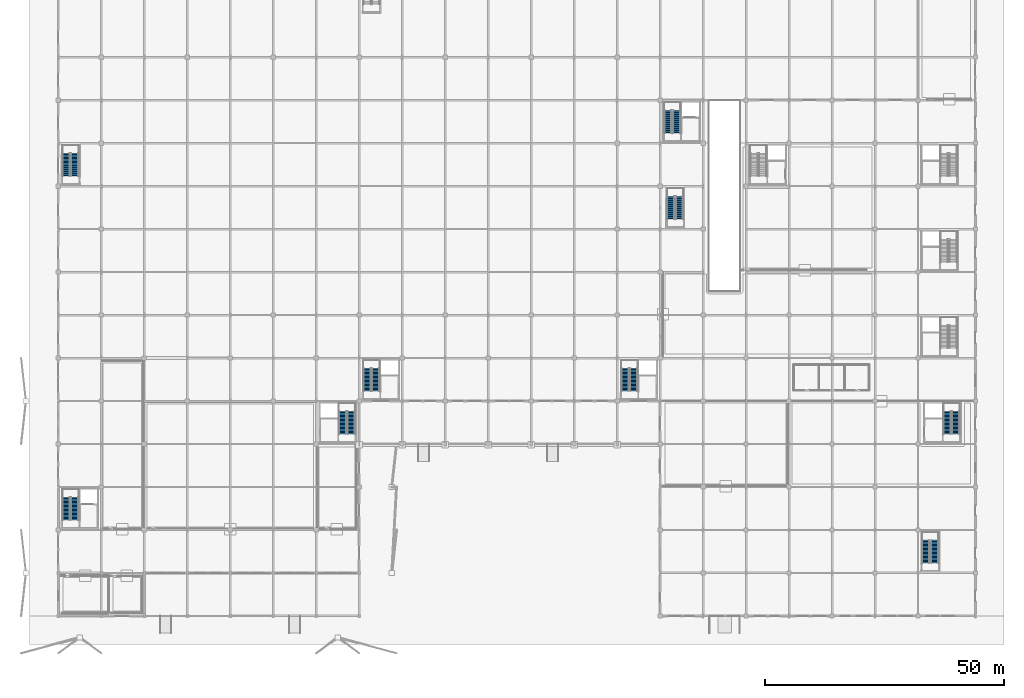
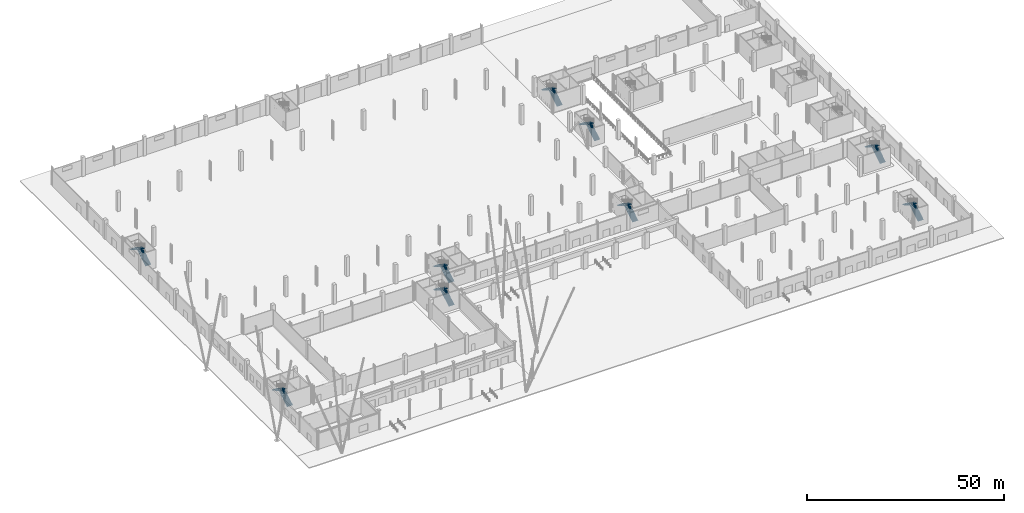
# One storey, part 40 of 58: 18 stair flights, 9 elements without a shape of their own.
"""IFC4 building model written with IfcOpenShell, lengths in metres."""

from ifc_helpers import new_model, si_unit, direction, frame, origin, place, context, subcontext, project, spatial, polyline, outline, extrude, material, type_object, element, aggregate, save


model = new_model("IFC4")

# Units and contexts
model_context = context("Model", 3, precision=1e-05, world=origin(), true_north=direction((0.0, 1.0)))
body_context = subcontext(model_context, "Body", "Model", "MODEL_VIEW")
ifc_project = project(units=[si_unit("LENGTHUNIT", "METRE"), si_unit("AREAUNIT", "SQUARE_METRE"), si_unit("VOLUMEUNIT", "CUBIC_METRE"), si_unit("PLANEANGLEUNIT", "RADIAN"), si_unit("MASSUNIT", "GRAM", prefix="KILO")], contexts=[model_context])

# Site, building, storey
site_placement = place(None, origin())
site = spatial("IfcSite", under=ifc_project, at=site_placement, CompositionType="ELEMENT")
building_placement = place(site_placement, origin())
building = spatial("IfcBuilding", under=site, at=building_placement, Name="Barlavento Convention Centre", CompositionType="ELEMENT")
storey_placement = place(building_placement, origin())
storey = spatial("IfcBuildingStorey", under=building, at=storey_placement, Name="L00", CompositionType="ELEMENT", Elevation=0.0)

# Stair, stair flights
ifc_material = material(Name="Concrete C40/50", Category="concrete")
stair_type_1 = type_object("IfcStairType", Name="ARC-STR-DOG-1600", PredefinedType="HALF_TURN_STAIR", material=ifc_material)
stair_1_placement = place(storey_placement, origin())
stair_1 = element("IfcStair", 1, at=stair_1_placement, inside=storey, type_object=stair_type_1, Name="L00 ST10", PredefinedType="HALF_TURN_STAIR")
stair_flight_type_1 = type_object("IfcStairFlightType", Name="ARC-FLT-STR-1600", PredefinedType="STRAIGHT", material=ifc_material)
stair_flight_1_placement = place(storey_placement, frame((129.449951171875, 101.070068359375, 0.0), z_axis=(0.0, 0.0, 1.0), x_axis=(0.0, 1.0, 0.0)))
stair_flight_1 = element("IfcStairFlight", 2, at=stair_flight_1_placement, type_object=stair_flight_type_1, Name="ST10 flight 1", NumberOfRisers=18, NumberOfTreads=17, PredefinedType="STRAIGHT", RiserHeight=0.166666667, TreadLength=0.28, context=body_context, shape_type="SweptSolid", body=[
    extrude(outline(polyline([(0.0, 0.0), (0.0, 0.166748046875), (0.280029296875, 0.166748046875), (0.280029296875, 0.333251953125), (0.56005859375, 0.333251953125), (0.56005859375, 0.5), (0.840087890625, 0.5), (0.840087890625, 0.666748046875), (1.1201171875, 0.666748046875), (1.1201171875, 0.833251953125), (1.39990234375, 0.833251953125), (1.39990234375, 1.0), (1.679931640625, 1.0), (1.679931640625, 1.166748046875), (1.9599609375, 1.166748046875), (1.9599609375, 1.333251953125), (2.239990234375, 1.333251953125), (2.239990234375, 1.5), (2.52001953125, 1.5), (2.52001953125, 1.666748046875), (2.800048828125, 1.666748046875), (2.800048828125, 1.833251953125), (3.080078125, 1.833251953125), (3.080078125, 2.0), (3.360107421875, 2.0), (3.360107421875, 2.166748046875), (3.639892578125, 2.166748046875), (3.639892578125, 2.333251953125), (3.919921875, 2.333251953125), (3.919921875, 2.5), (4.199951171875, 2.5), (4.199951171875, 2.666748046875), (4.47998046875, 2.666748046875), (4.47998046875, 2.833251953125), (4.760009765625, 2.833251953125), (4.760009765625, 3.0), (4.760009765625, 2.658935546875), (0.29296875, 0.0), (0.0, 0.0)])), frame((0.0, 0.800048828125, 0.0), z_axis=(0.0, -1.0, 0.0), x_axis=(1.0, 0.0, 0.0)), (0.0, 0.0, 1.0), 1.60009765625),
])
stair_flight_2_placement = place(storey_placement, frame((127.64990234375, 105.830078125, 3.0), z_axis=(0.0, 0.0, 1.0), x_axis=(0.0, -1.0, 0.0)))
stair_flight_2 = element("IfcStairFlight", 3, at=stair_flight_2_placement, type_object=stair_flight_type_1, Name="ST10 flight 2", NumberOfRisers=18, NumberOfTreads=17, PredefinedType="STRAIGHT", RiserHeight=0.166666667, TreadLength=0.28, context=body_context, shape_type="SweptSolid", body=[
    extrude(outline(polyline([(0.0, 0.0), (0.0, 0.166748046875), (0.280029296875, 0.166748046875), (0.280029296875, 0.333251953125), (0.56005859375, 0.333251953125), (0.56005859375, 0.5), (0.840087890625, 0.5), (0.840087890625, 0.666748046875), (1.1201171875, 0.666748046875), (1.1201171875, 0.833251953125), (1.39990234375, 0.833251953125), (1.39990234375, 1.0), (1.679931640625, 1.0), (1.679931640625, 1.166748046875), (1.9599609375, 1.166748046875), (1.9599609375, 1.333251953125), (2.239990234375, 1.333251953125), (2.239990234375, 1.5), (2.52001953125, 1.5), (2.52001953125, 1.666748046875), (2.800048828125, 1.666748046875), (2.800048828125, 1.833251953125), (3.080078125, 1.833251953125), (3.080078125, 2.0), (3.360107421875, 2.0), (3.360107421875, 2.166748046875), (3.639892578125, 2.166748046875), (3.639892578125, 2.333251953125), (3.919921875, 2.333251953125), (3.919921875, 2.5), (4.199951171875, 2.5), (4.199951171875, 2.666748046875), (4.47998046875, 2.666748046875), (4.47998046875, 2.833251953125), (4.760009765625, 2.833251953125), (4.760009765625, 3.0), (4.760009765625, 2.658935546875), (0.29296875, 0.0), (0.0, 0.0)])), frame((0.0, 0.800048828125, 0.0), z_axis=(0.0, -1.0, 0.0), x_axis=(1.0, 0.0, 0.0)), (0.0, 0.0, 1.0), 1.60009765625),
])
aggregate(stair_1, [stair_flight_1, stair_flight_2])

stair_2_placement = place(storey_placement, origin())
stair_2 = element("IfcStair", 4, at=stair_2_placement, inside=storey, type_object=stair_type_1, Name="L00 ST12", PredefinedType="HALF_TURN_STAIR")
stair_flight_3_placement = place(storey_placement, frame((130.050048828125, 83.070068359375, 0.0), z_axis=(0.0, 0.0, 1.0), x_axis=(0.0, 1.0, 0.0)))
stair_flight_3 = element("IfcStairFlight", 5, at=stair_flight_3_placement, type_object=stair_flight_type_1, Name="ST12 flight 1", NumberOfRisers=18, NumberOfTreads=17, PredefinedType="STRAIGHT", RiserHeight=0.166666667, TreadLength=0.28, context=body_context, shape_type="SweptSolid", body=[
    extrude(outline(polyline([(0.0, 0.0), (0.0, 0.166748046875), (0.280029296875, 0.166748046875), (0.280029296875, 0.333251953125), (0.56005859375, 0.333251953125), (0.56005859375, 0.5), (0.840087890625, 0.5), (0.840087890625, 0.666748046875), (1.1201171875, 0.666748046875), (1.1201171875, 0.833251953125), (1.39990234375, 0.833251953125), (1.39990234375, 1.0), (1.679931640625, 1.0), (1.679931640625, 1.166748046875), (1.9599609375, 1.166748046875), (1.9599609375, 1.333251953125), (2.239990234375, 1.333251953125), (2.239990234375, 1.5), (2.52001953125, 1.5), (2.52001953125, 1.666748046875), (2.800048828125, 1.666748046875), (2.800048828125, 1.833251953125), (3.080078125, 1.833251953125), (3.080078125, 2.0), (3.360107421875, 2.0), (3.360107421875, 2.166748046875), (3.639892578125, 2.166748046875), (3.639892578125, 2.333251953125), (3.919921875, 2.333251953125), (3.919921875, 2.5), (4.199951171875, 2.5), (4.199951171875, 2.666748046875), (4.47998046875, 2.666748046875), (4.47998046875, 2.833251953125), (4.760009765625, 2.833251953125), (4.760009765625, 3.0), (4.760009765625, 2.658935546875), (0.29296875, 0.0), (0.0, 0.0)])), frame((0.0, 0.800048828125, 0.0), z_axis=(0.0, -1.0, 0.0), x_axis=(1.0, 0.0, 0.0)), (0.0, 0.0, 1.0), 1.60009765625),
])
stair_flight_4_placement = place(storey_placement, frame((128.25, 87.830078125, 3.0), z_axis=(0.0, 0.0, 1.0), x_axis=(0.0, -1.0, 0.0)))
stair_flight_4 = element("IfcStairFlight", 6, at=stair_flight_4_placement, type_object=stair_flight_type_1, Name="ST12 flight 2", NumberOfRisers=18, NumberOfTreads=17, PredefinedType="STRAIGHT", RiserHeight=0.166666667, TreadLength=0.28, context=body_context, shape_type="SweptSolid", body=[
    extrude(outline(polyline([(0.0, 0.0), (0.0, 0.166748046875), (0.280029296875, 0.166748046875), (0.280029296875, 0.333251953125), (0.56005859375, 0.333251953125), (0.56005859375, 0.5), (0.840087890625, 0.5), (0.840087890625, 0.666748046875), (1.1201171875, 0.666748046875), (1.1201171875, 0.833251953125), (1.39990234375, 0.833251953125), (1.39990234375, 1.0), (1.679931640625, 1.0), (1.679931640625, 1.166748046875), (1.9599609375, 1.166748046875), (1.9599609375, 1.333251953125), (2.239990234375, 1.333251953125), (2.239990234375, 1.5), (2.52001953125, 1.5), (2.52001953125, 1.666748046875), (2.800048828125, 1.666748046875), (2.800048828125, 1.833251953125), (3.080078125, 1.833251953125), (3.080078125, 2.0), (3.360107421875, 2.0), (3.360107421875, 2.166748046875), (3.639892578125, 2.166748046875), (3.639892578125, 2.333251953125), (3.919921875, 2.333251953125), (3.919921875, 2.5), (4.199951171875, 2.5), (4.199951171875, 2.666748046875), (4.47998046875, 2.666748046875), (4.47998046875, 2.833251953125), (4.760009765625, 2.833251953125), (4.760009765625, 3.0), (4.760009765625, 2.658935546875), (0.29296875, 0.0), (0.0, 0.0)])), frame((0.0, 0.800048828125, 0.0), z_axis=(0.0, -1.0, 0.0), x_axis=(1.0, 0.0, 0.0)), (0.0, 0.0, 1.0), 1.60009765625),
])
aggregate(stair_2, [stair_flight_3, stair_flight_4])

stair_type_2 = type_object("IfcStairType", Name="ARC-STR-DOG-1620", PredefinedType="HALF_TURN_STAIR", material=ifc_material)
stair_3_placement = place(storey_placement, origin())
stair_3 = element("IfcStair", 7, at=stair_3_placement, inside=storey, type_object=stair_type_2, Name="L00 ST01", PredefinedType="HALF_TURN_STAIR")
stair_flight_type_2 = type_object("IfcStairFlightType", Name="ARC-FLT-STR-1620", PredefinedType="STRAIGHT", material=ifc_material)
stair_flight_5_placement = place(storey_placement, frame((3.47998046875, 20.090087890625, 0.0), z_axis=(0.0, 0.0, 1.0), x_axis=(0.0, 1.0, 0.0)))
stair_flight_5 = element("IfcStairFlight", 8, at=stair_flight_5_placement, type_object=stair_flight_type_2, Name="ST01 flight 1", NumberOfRisers=18, NumberOfTreads=17, PredefinedType="STRAIGHT", RiserHeight=0.166666667, TreadLength=0.28, context=body_context, shape_type="SweptSolid", body=[
    extrude(outline(polyline([(0.0, 0.0), (0.0, 0.166748046875), (0.280029296875, 0.166748046875), (0.280029296875, 0.333251953125), (0.56005859375, 0.333251953125), (0.56005859375, 0.5), (0.840087890625, 0.5), (0.840087890625, 0.666748046875), (1.1201171875, 0.666748046875), (1.1201171875, 0.833251953125), (1.39990234375, 0.833251953125), (1.39990234375, 1.0), (1.679931640625, 1.0), (1.679931640625, 1.166748046875), (1.9599609375, 1.166748046875), (1.9599609375, 1.333251953125), (2.239990234375, 1.333251953125), (2.239990234375, 1.5), (2.52001953125, 1.5), (2.52001953125, 1.666748046875), (2.800048828125, 1.666748046875), (2.800048828125, 1.833251953125), (3.080078125, 1.833251953125), (3.080078125, 2.0), (3.360107421875, 2.0), (3.360107421875, 2.166748046875), (3.639892578125, 2.166748046875), (3.639892578125, 2.333251953125), (3.919921875, 2.333251953125), (3.919921875, 2.5), (4.199951171875, 2.5), (4.199951171875, 2.666748046875), (4.47998046875, 2.666748046875), (4.47998046875, 2.833251953125), (4.760009765625, 2.833251953125), (4.760009765625, 3.0), (4.760009765625, 2.658935546875), (0.29296875, 0.0), (0.0, 0.0)])), frame((0.0, 0.81005859375, 0.0), z_axis=(0.0, -1.0, 0.0), x_axis=(1.0, 0.0, 0.0)), (0.0, 0.0, 1.0), 1.6201171875),
])
stair_flight_6_placement = place(storey_placement, frame((1.659912109375, 24.85009765625, 3.0), z_axis=(0.0, 0.0, 1.0), x_axis=(0.0, -1.0, 0.0)))
stair_flight_6 = element("IfcStairFlight", 9, at=stair_flight_6_placement, type_object=stair_flight_type_2, Name="ST01 flight 2", NumberOfRisers=18, NumberOfTreads=17, PredefinedType="STRAIGHT", RiserHeight=0.166666667, TreadLength=0.28, context=body_context, shape_type="SweptSolid", body=[
    extrude(outline(polyline([(0.0, 0.0), (0.0, 0.166748046875), (0.280029296875, 0.166748046875), (0.280029296875, 0.333251953125), (0.56005859375, 0.333251953125), (0.56005859375, 0.5), (0.840087890625, 0.5), (0.840087890625, 0.666748046875), (1.1201171875, 0.666748046875), (1.1201171875, 0.833251953125), (1.39990234375, 0.833251953125), (1.39990234375, 1.0), (1.679931640625, 1.0), (1.679931640625, 1.166748046875), (1.9599609375, 1.166748046875), (1.9599609375, 1.333251953125), (2.239990234375, 1.333251953125), (2.239990234375, 1.5), (2.52001953125, 1.5), (2.52001953125, 1.666748046875), (2.800048828125, 1.666748046875), (2.800048828125, 1.833251953125), (3.080078125, 1.833251953125), (3.080078125, 2.0), (3.360107421875, 2.0), (3.360107421875, 2.166748046875), (3.639892578125, 2.166748046875), (3.639892578125, 2.333251953125), (3.919921875, 2.333251953125), (3.919921875, 2.5), (4.199951171875, 2.5), (4.199951171875, 2.666748046875), (4.47998046875, 2.666748046875), (4.47998046875, 2.833251953125), (4.760009765625, 2.833251953125), (4.760009765625, 3.0), (4.760009765625, 2.658935546875), (0.29296875, 0.0), (0.0, 0.0)])), frame((0.0, 0.81005859375, 0.0), z_axis=(0.0, -1.0, 0.0), x_axis=(1.0, 0.0, 0.0)), (0.0, 0.0, 1.0), 1.6201171875),
])
aggregate(stair_3, [stair_flight_5, stair_flight_6])

stair_4_placement = place(storey_placement, origin())
stair_4 = element("IfcStair", 10, at=stair_4_placement, inside=storey, type_object=stair_type_2, Name="L00 ST02", PredefinedType="HALF_TURN_STAIR")
stair_flight_7_placement = place(storey_placement, frame((61.340087890625, 38.090087890625, 0.0), z_axis=(0.0, 0.0, 1.0), x_axis=(0.0, 1.0, 0.0)))
stair_flight_7 = element("IfcStairFlight", 11, at=stair_flight_7_placement, type_object=stair_flight_type_2, Name="ST02 flight 1", NumberOfRisers=18, NumberOfTreads=17, PredefinedType="STRAIGHT", RiserHeight=0.166666667, TreadLength=0.28, context=body_context, shape_type="SweptSolid", body=[
    extrude(outline(polyline([(0.0, 0.0), (0.0, 0.166748046875), (0.280029296875, 0.166748046875), (0.280029296875, 0.333251953125), (0.56005859375, 0.333251953125), (0.56005859375, 0.5), (0.840087890625, 0.5), (0.840087890625, 0.666748046875), (1.1201171875, 0.666748046875), (1.1201171875, 0.833251953125), (1.39990234375, 0.833251953125), (1.39990234375, 1.0), (1.679931640625, 1.0), (1.679931640625, 1.166748046875), (1.9599609375, 1.166748046875), (1.9599609375, 1.333251953125), (2.239990234375, 1.333251953125), (2.239990234375, 1.5), (2.52001953125, 1.5), (2.52001953125, 1.666748046875), (2.800048828125, 1.666748046875), (2.800048828125, 1.833251953125), (3.080078125, 1.833251953125), (3.080078125, 2.0), (3.360107421875, 2.0), (3.360107421875, 2.166748046875), (3.639892578125, 2.166748046875), (3.639892578125, 2.333251953125), (3.919921875, 2.333251953125), (3.919921875, 2.5), (4.199951171875, 2.5), (4.199951171875, 2.666748046875), (4.47998046875, 2.666748046875), (4.47998046875, 2.833251953125), (4.760009765625, 2.833251953125), (4.760009765625, 3.0), (4.760009765625, 2.658935546875), (0.29296875, 0.0), (0.0, 0.0)])), frame((0.0, 0.81005859375, 0.0), z_axis=(0.0, -1.0, 0.0), x_axis=(1.0, 0.0, 0.0)), (0.0, 0.0, 1.0), 1.6201171875),
])
stair_flight_8_placement = place(storey_placement, frame((59.52001953125, 42.85009765625, 3.0), z_axis=(0.0, 0.0, 1.0), x_axis=(0.0, -1.0, 0.0)))
stair_flight_8 = element("IfcStairFlight", 12, at=stair_flight_8_placement, type_object=stair_flight_type_2, Name="ST02 flight 2", NumberOfRisers=18, NumberOfTreads=17, PredefinedType="STRAIGHT", RiserHeight=0.166666667, TreadLength=0.28, context=body_context, shape_type="SweptSolid", body=[
    extrude(outline(polyline([(0.0, 0.0), (0.0, 0.166748046875), (0.280029296875, 0.166748046875), (0.280029296875, 0.333251953125), (0.56005859375, 0.333251953125), (0.56005859375, 0.5), (0.840087890625, 0.5), (0.840087890625, 0.666748046875), (1.1201171875, 0.666748046875), (1.1201171875, 0.833251953125), (1.39990234375, 0.833251953125), (1.39990234375, 1.0), (1.679931640625, 1.0), (1.679931640625, 1.166748046875), (1.9599609375, 1.166748046875), (1.9599609375, 1.333251953125), (2.239990234375, 1.333251953125), (2.239990234375, 1.5), (2.52001953125, 1.5), (2.52001953125, 1.666748046875), (2.800048828125, 1.666748046875), (2.800048828125, 1.833251953125), (3.080078125, 1.833251953125), (3.080078125, 2.0), (3.360107421875, 2.0), (3.360107421875, 2.166748046875), (3.639892578125, 2.166748046875), (3.639892578125, 2.333251953125), (3.919921875, 2.333251953125), (3.919921875, 2.5), (4.199951171875, 2.5), (4.199951171875, 2.666748046875), (4.47998046875, 2.666748046875), (4.47998046875, 2.833251953125), (4.760009765625, 2.833251953125), (4.760009765625, 3.0), (4.760009765625, 2.658935546875), (0.29296875, 0.0), (0.0, 0.0)])), frame((0.0, 0.81005859375, 0.0), z_axis=(0.0, -1.0, 0.0), x_axis=(1.0, 0.0, 0.0)), (0.0, 0.0, 1.0), 1.6201171875),
])
aggregate(stair_4, [stair_flight_7, stair_flight_8])

stair_5_placement = place(storey_placement, origin())
stair_5 = element("IfcStair", 13, at=stair_5_placement, inside=storey, type_object=stair_type_2, Name="L00 ST03", PredefinedType="HALF_TURN_STAIR")
stair_flight_9_placement = place(storey_placement, frame((66.47998046875, 47.090087890625, 0.0), z_axis=(0.0, 0.0, 1.0), x_axis=(0.0, 1.0, 0.0)))
stair_flight_9 = element("IfcStairFlight", 14, at=stair_flight_9_placement, type_object=stair_flight_type_2, Name="ST03 flight 1", NumberOfRisers=18, NumberOfTreads=17, PredefinedType="STRAIGHT", RiserHeight=0.166666667, TreadLength=0.28, context=body_context, shape_type="SweptSolid", body=[
    extrude(outline(polyline([(0.0, 0.0), (0.0, 0.166748046875), (0.280029296875, 0.166748046875), (0.280029296875, 0.333251953125), (0.56005859375, 0.333251953125), (0.56005859375, 0.5), (0.840087890625, 0.5), (0.840087890625, 0.666748046875), (1.1201171875, 0.666748046875), (1.1201171875, 0.833251953125), (1.39990234375, 0.833251953125), (1.39990234375, 1.0), (1.679931640625, 1.0), (1.679931640625, 1.166748046875), (1.9599609375, 1.166748046875), (1.9599609375, 1.333251953125), (2.239990234375, 1.333251953125), (2.239990234375, 1.5), (2.52001953125, 1.5), (2.52001953125, 1.666748046875), (2.800048828125, 1.666748046875), (2.800048828125, 1.833251953125), (3.080078125, 1.833251953125), (3.080078125, 2.0), (3.360107421875, 2.0), (3.360107421875, 2.166748046875), (3.639892578125, 2.166748046875), (3.639892578125, 2.333251953125), (3.919921875, 2.333251953125), (3.919921875, 2.5), (4.199951171875, 2.5), (4.199951171875, 2.666748046875), (4.47998046875, 2.666748046875), (4.47998046875, 2.833251953125), (4.760009765625, 2.833251953125), (4.760009765625, 3.0), (4.760009765625, 2.658935546875), (0.29296875, 0.0), (0.0, 0.0)])), frame((0.0, 0.81005859375, 0.0), z_axis=(0.0, -1.0, 0.0), x_axis=(1.0, 0.0, 0.0)), (0.0, 0.0, 1.0), 1.6201171875),
])
stair_flight_10_placement = place(storey_placement, frame((64.659912109375, 51.85009765625, 3.0), z_axis=(0.0, 0.0, 1.0), x_axis=(0.0, -1.0, 0.0)))
stair_flight_10 = element("IfcStairFlight", 15, at=stair_flight_10_placement, type_object=stair_flight_type_2, Name="ST03 flight 2", NumberOfRisers=18, NumberOfTreads=17, PredefinedType="STRAIGHT", RiserHeight=0.166666667, TreadLength=0.28, context=body_context, shape_type="SweptSolid", body=[
    extrude(outline(polyline([(0.0, 0.0), (0.0, 0.166748046875), (0.280029296875, 0.166748046875), (0.280029296875, 0.333251953125), (0.56005859375, 0.333251953125), (0.56005859375, 0.5), (0.840087890625, 0.5), (0.840087890625, 0.666748046875), (1.1201171875, 0.666748046875), (1.1201171875, 0.833251953125), (1.39990234375, 0.833251953125), (1.39990234375, 1.0), (1.679931640625, 1.0), (1.679931640625, 1.166748046875), (1.9599609375, 1.166748046875), (1.9599609375, 1.333251953125), (2.239990234375, 1.333251953125), (2.239990234375, 1.5), (2.52001953125, 1.5), (2.52001953125, 1.666748046875), (2.800048828125, 1.666748046875), (2.800048828125, 1.833251953125), (3.080078125, 1.833251953125), (3.080078125, 2.0), (3.360107421875, 2.0), (3.360107421875, 2.166748046875), (3.639892578125, 2.166748046875), (3.639892578125, 2.333251953125), (3.919921875, 2.333251953125), (3.919921875, 2.5), (4.199951171875, 2.5), (4.199951171875, 2.666748046875), (4.47998046875, 2.666748046875), (4.47998046875, 2.833251953125), (4.760009765625, 2.833251953125), (4.760009765625, 3.0), (4.760009765625, 2.658935546875), (0.29296875, 0.0), (0.0, 0.0)])), frame((0.0, 0.81005859375, 0.0), z_axis=(0.0, -1.0, 0.0), x_axis=(1.0, 0.0, 0.0)), (0.0, 0.0, 1.0), 1.6201171875),
])
aggregate(stair_5, [stair_flight_9, stair_flight_10])

stair_6_placement = place(storey_placement, origin())
stair_6 = element("IfcStair", 16, at=stair_6_placement, inside=storey, type_object=stair_type_2, Name="L00 ST04", PredefinedType="HALF_TURN_STAIR")
stair_flight_11_placement = place(storey_placement, frame((120.47998046875, 47.090087890625, 0.0), z_axis=(0.0, 0.0, 1.0), x_axis=(0.0, 1.0, 0.0)))
stair_flight_11 = element("IfcStairFlight", 17, at=stair_flight_11_placement, type_object=stair_flight_type_2, Name="ST04 flight 1", NumberOfRisers=18, NumberOfTreads=17, PredefinedType="STRAIGHT", RiserHeight=0.166666667, TreadLength=0.28, context=body_context, shape_type="SweptSolid", body=[
    extrude(outline(polyline([(0.0, 0.0), (0.0, 0.166748046875), (0.280029296875, 0.166748046875), (0.280029296875, 0.333251953125), (0.56005859375, 0.333251953125), (0.56005859375, 0.5), (0.840087890625, 0.5), (0.840087890625, 0.666748046875), (1.1201171875, 0.666748046875), (1.1201171875, 0.833251953125), (1.39990234375, 0.833251953125), (1.39990234375, 1.0), (1.679931640625, 1.0), (1.679931640625, 1.166748046875), (1.9599609375, 1.166748046875), (1.9599609375, 1.333251953125), (2.239990234375, 1.333251953125), (2.239990234375, 1.5), (2.52001953125, 1.5), (2.52001953125, 1.666748046875), (2.800048828125, 1.666748046875), (2.800048828125, 1.833251953125), (3.080078125, 1.833251953125), (3.080078125, 2.0), (3.360107421875, 2.0), (3.360107421875, 2.166748046875), (3.639892578125, 2.166748046875), (3.639892578125, 2.333251953125), (3.919921875, 2.333251953125), (3.919921875, 2.5), (4.199951171875, 2.5), (4.199951171875, 2.666748046875), (4.47998046875, 2.666748046875), (4.47998046875, 2.833251953125), (4.760009765625, 2.833251953125), (4.760009765625, 3.0), (4.760009765625, 2.658935546875), (0.29296875, 0.0), (0.0, 0.0)])), frame((0.0, 0.81005859375, 0.0), z_axis=(0.0, -1.0, 0.0), x_axis=(1.0, 0.0, 0.0)), (0.0, 0.0, 1.0), 1.6201171875),
])
stair_flight_12_placement = place(storey_placement, frame((118.659912109375, 51.85009765625, 3.0), z_axis=(0.0, 0.0, 1.0), x_axis=(0.0, -1.0, 0.0)))
stair_flight_12 = element("IfcStairFlight", 18, at=stair_flight_12_placement, type_object=stair_flight_type_2, Name="ST04 flight 2", NumberOfRisers=18, NumberOfTreads=17, PredefinedType="STRAIGHT", RiserHeight=0.166666667, TreadLength=0.28, context=body_context, shape_type="SweptSolid", body=[
    extrude(outline(polyline([(0.0, 0.0), (0.0, 0.166748046875), (0.280029296875, 0.166748046875), (0.280029296875, 0.333251953125), (0.56005859375, 0.333251953125), (0.56005859375, 0.5), (0.840087890625, 0.5), (0.840087890625, 0.666748046875), (1.1201171875, 0.666748046875), (1.1201171875, 0.833251953125), (1.39990234375, 0.833251953125), (1.39990234375, 1.0), (1.679931640625, 1.0), (1.679931640625, 1.166748046875), (1.9599609375, 1.166748046875), (1.9599609375, 1.333251953125), (2.239990234375, 1.333251953125), (2.239990234375, 1.5), (2.52001953125, 1.5), (2.52001953125, 1.666748046875), (2.800048828125, 1.666748046875), (2.800048828125, 1.833251953125), (3.080078125, 1.833251953125), (3.080078125, 2.0), (3.360107421875, 2.0), (3.360107421875, 2.166748046875), (3.639892578125, 2.166748046875), (3.639892578125, 2.333251953125), (3.919921875, 2.333251953125), (3.919921875, 2.5), (4.199951171875, 2.5), (4.199951171875, 2.666748046875), (4.47998046875, 2.666748046875), (4.47998046875, 2.833251953125), (4.760009765625, 2.833251953125), (4.760009765625, 3.0), (4.760009765625, 2.658935546875), (0.29296875, 0.0), (0.0, 0.0)])), frame((0.0, 0.81005859375, 0.0), z_axis=(0.0, -1.0, 0.0), x_axis=(1.0, 0.0, 0.0)), (0.0, 0.0, 1.0), 1.6201171875),
])
aggregate(stair_6, [stair_flight_11, stair_flight_12])

stair_7_placement = place(storey_placement, origin())
stair_7 = element("IfcStair", 19, at=stair_7_placement, inside=storey, type_object=stair_type_2, Name="L00 ST06", PredefinedType="HALF_TURN_STAIR")
stair_flight_13_placement = place(storey_placement, frame((187.93994140625, 38.090087890625, 0.0), z_axis=(0.0, 0.0, 1.0), x_axis=(0.0, 1.0, 0.0)))
stair_flight_13 = element("IfcStairFlight", 20, at=stair_flight_13_placement, type_object=stair_flight_type_2, Name="ST06 flight 1", NumberOfRisers=18, NumberOfTreads=17, PredefinedType="STRAIGHT", RiserHeight=0.166666667, TreadLength=0.28, context=body_context, shape_type="SweptSolid", body=[
    extrude(outline(polyline([(0.0, 0.0), (0.0, 0.166748046875), (0.280029296875, 0.166748046875), (0.280029296875, 0.333251953125), (0.56005859375, 0.333251953125), (0.56005859375, 0.5), (0.840087890625, 0.5), (0.840087890625, 0.666748046875), (1.1201171875, 0.666748046875), (1.1201171875, 0.833251953125), (1.39990234375, 0.833251953125), (1.39990234375, 1.0), (1.679931640625, 1.0), (1.679931640625, 1.166748046875), (1.9599609375, 1.166748046875), (1.9599609375, 1.333251953125), (2.239990234375, 1.333251953125), (2.239990234375, 1.5), (2.52001953125, 1.5), (2.52001953125, 1.666748046875), (2.800048828125, 1.666748046875), (2.800048828125, 1.833251953125), (3.080078125, 1.833251953125), (3.080078125, 2.0), (3.360107421875, 2.0), (3.360107421875, 2.166748046875), (3.639892578125, 2.166748046875), (3.639892578125, 2.333251953125), (3.919921875, 2.333251953125), (3.919921875, 2.5), (4.199951171875, 2.5), (4.199951171875, 2.666748046875), (4.47998046875, 2.666748046875), (4.47998046875, 2.833251953125), (4.760009765625, 2.833251953125), (4.760009765625, 3.0), (4.760009765625, 2.658935546875), (0.29296875, 0.0), (0.0, 0.0)])), frame((0.0, 0.81005859375, 0.0), z_axis=(0.0, -1.0, 0.0), x_axis=(1.0, 0.0, 0.0)), (0.0, 0.0, 1.0), 1.6201171875),
])
stair_flight_14_placement = place(storey_placement, frame((186.1201171875, 42.85009765625, 3.0), z_axis=(0.0, 0.0, 1.0), x_axis=(0.0, -1.0, 0.0)))
stair_flight_14 = element("IfcStairFlight", 21, at=stair_flight_14_placement, type_object=stair_flight_type_2, Name="ST06 flight 2", NumberOfRisers=18, NumberOfTreads=17, PredefinedType="STRAIGHT", RiserHeight=0.166666667, TreadLength=0.28, context=body_context, shape_type="SweptSolid", body=[
    extrude(outline(polyline([(0.0, 0.0), (0.0, 0.166748046875), (0.280029296875, 0.166748046875), (0.280029296875, 0.333251953125), (0.56005859375, 0.333251953125), (0.56005859375, 0.5), (0.840087890625, 0.5), (0.840087890625, 0.666748046875), (1.1201171875, 0.666748046875), (1.1201171875, 0.833251953125), (1.39990234375, 0.833251953125), (1.39990234375, 1.0), (1.679931640625, 1.0), (1.679931640625, 1.166748046875), (1.9599609375, 1.166748046875), (1.9599609375, 1.333251953125), (2.239990234375, 1.333251953125), (2.239990234375, 1.5), (2.52001953125, 1.5), (2.52001953125, 1.666748046875), (2.800048828125, 1.666748046875), (2.800048828125, 1.833251953125), (3.080078125, 1.833251953125), (3.080078125, 2.0), (3.360107421875, 2.0), (3.360107421875, 2.166748046875), (3.639892578125, 2.166748046875), (3.639892578125, 2.333251953125), (3.919921875, 2.333251953125), (3.919921875, 2.5), (4.199951171875, 2.5), (4.199951171875, 2.666748046875), (4.47998046875, 2.666748046875), (4.47998046875, 2.833251953125), (4.760009765625, 2.833251953125), (4.760009765625, 3.0), (4.760009765625, 2.658935546875), (0.29296875, 0.0), (0.0, 0.0)])), frame((0.0, 0.81005859375, 0.0), z_axis=(0.0, -1.0, 0.0), x_axis=(1.0, 0.0, 0.0)), (0.0, 0.0, 1.0), 1.6201171875),
])
aggregate(stair_7, [stair_flight_13, stair_flight_14])

stair_8_placement = place(storey_placement, origin())
stair_8 = element("IfcStair", 22, at=stair_8_placement, inside=storey, type_object=stair_type_2, Name="L00 ST11", PredefinedType="HALF_TURN_STAIR")
stair_flight_15_placement = place(storey_placement, frame((3.47998046875, 92.090087890625, 0.0), z_axis=(0.0, 0.0, 1.0), x_axis=(0.0, 1.0, 0.0)))
stair_flight_15 = element("IfcStairFlight", 23, at=stair_flight_15_placement, type_object=stair_flight_type_2, Name="ST11 flight 1", NumberOfRisers=18, NumberOfTreads=17, PredefinedType="STRAIGHT", RiserHeight=0.166666667, TreadLength=0.28, context=body_context, shape_type="SweptSolid", body=[
    extrude(outline(polyline([(0.0, 0.0), (0.0, 0.166748046875), (0.280029296875, 0.166748046875), (0.280029296875, 0.333251953125), (0.56005859375, 0.333251953125), (0.56005859375, 0.5), (0.840087890625, 0.5), (0.840087890625, 0.666748046875), (1.1201171875, 0.666748046875), (1.1201171875, 0.833251953125), (1.39990234375, 0.833251953125), (1.39990234375, 1.0), (1.679931640625, 1.0), (1.679931640625, 1.166748046875), (1.9599609375, 1.166748046875), (1.9599609375, 1.333251953125), (2.239990234375, 1.333251953125), (2.239990234375, 1.5), (2.52001953125, 1.5), (2.52001953125, 1.666748046875), (2.800048828125, 1.666748046875), (2.800048828125, 1.833251953125), (3.080078125, 1.833251953125), (3.080078125, 2.0), (3.360107421875, 2.0), (3.360107421875, 2.166748046875), (3.639892578125, 2.166748046875), (3.639892578125, 2.333251953125), (3.919921875, 2.333251953125), (3.919921875, 2.5), (4.199951171875, 2.5), (4.199951171875, 2.666748046875), (4.47998046875, 2.666748046875), (4.47998046875, 2.833251953125), (4.760009765625, 2.833251953125), (4.760009765625, 3.0), (4.760009765625, 2.658935546875), (0.29296875, 0.0), (0.0, 0.0)])), frame((0.0, 0.81005859375, 0.0), z_axis=(0.0, -1.0, 0.0), x_axis=(1.0, 0.0, 0.0)), (0.0, 0.0, 1.0), 1.6201171875),
])
stair_flight_16_placement = place(storey_placement, frame((1.659912109375, 96.85009765625, 3.0), z_axis=(0.0, 0.0, 1.0), x_axis=(0.0, -1.0, 0.0)))
stair_flight_16 = element("IfcStairFlight", 24, at=stair_flight_16_placement, type_object=stair_flight_type_2, Name="ST11 flight 2", NumberOfRisers=18, NumberOfTreads=17, PredefinedType="STRAIGHT", RiserHeight=0.166666667, TreadLength=0.28, context=body_context, shape_type="SweptSolid", body=[
    extrude(outline(polyline([(0.0, 0.0), (0.0, 0.166748046875), (0.280029296875, 0.166748046875), (0.280029296875, 0.333251953125), (0.56005859375, 0.333251953125), (0.56005859375, 0.5), (0.840087890625, 0.5), (0.840087890625, 0.666748046875), (1.1201171875, 0.666748046875), (1.1201171875, 0.833251953125), (1.39990234375, 0.833251953125), (1.39990234375, 1.0), (1.679931640625, 1.0), (1.679931640625, 1.166748046875), (1.9599609375, 1.166748046875), (1.9599609375, 1.333251953125), (2.239990234375, 1.333251953125), (2.239990234375, 1.5), (2.52001953125, 1.5), (2.52001953125, 1.666748046875), (2.800048828125, 1.666748046875), (2.800048828125, 1.833251953125), (3.080078125, 1.833251953125), (3.080078125, 2.0), (3.360107421875, 2.0), (3.360107421875, 2.166748046875), (3.639892578125, 2.166748046875), (3.639892578125, 2.333251953125), (3.919921875, 2.333251953125), (3.919921875, 2.5), (4.199951171875, 2.5), (4.199951171875, 2.666748046875), (4.47998046875, 2.666748046875), (4.47998046875, 2.833251953125), (4.760009765625, 2.833251953125), (4.760009765625, 3.0), (4.760009765625, 2.658935546875), (0.29296875, 0.0), (0.0, 0.0)])), frame((0.0, 0.81005859375, 0.0), z_axis=(0.0, -1.0, 0.0), x_axis=(1.0, 0.0, 0.0)), (0.0, 0.0, 1.0), 1.6201171875),
])
aggregate(stair_8, [stair_flight_15, stair_flight_16])

stair_9_placement = place(storey_placement, origin())
stair_9 = element("IfcStair", 25, at=stair_9_placement, inside=storey, type_object=stair_type_2, Name="L00 ST14", PredefinedType="HALF_TURN_STAIR")
stair_flight_17_placement = place(storey_placement, frame((183.47998046875, 11.090087890625, 0.0), z_axis=(0.0, 0.0, 1.0), x_axis=(0.0, 1.0, 0.0)))
stair_flight_17 = element("IfcStairFlight", 26, at=stair_flight_17_placement, type_object=stair_flight_type_2, Name="ST14 flight 1", NumberOfRisers=18, NumberOfTreads=17, PredefinedType="STRAIGHT", RiserHeight=0.166666667, TreadLength=0.28, context=body_context, shape_type="SweptSolid", body=[
    extrude(outline(polyline([(0.0, 0.0), (0.0, 0.166748046875), (0.280029296875, 0.166748046875), (0.280029296875, 0.333251953125), (0.56005859375, 0.333251953125), (0.56005859375, 0.5), (0.840087890625, 0.5), (0.840087890625, 0.666748046875), (1.1201171875, 0.666748046875), (1.1201171875, 0.833251953125), (1.39990234375, 0.833251953125), (1.39990234375, 1.0), (1.679931640625, 1.0), (1.679931640625, 1.166748046875), (1.9599609375, 1.166748046875), (1.9599609375, 1.333251953125), (2.239990234375, 1.333251953125), (2.239990234375, 1.5), (2.52001953125, 1.5), (2.52001953125, 1.666748046875), (2.800048828125, 1.666748046875), (2.800048828125, 1.833251953125), (3.080078125, 1.833251953125), (3.080078125, 2.0), (3.360107421875, 2.0), (3.360107421875, 2.166748046875), (3.639892578125, 2.166748046875), (3.639892578125, 2.333251953125), (3.919921875, 2.333251953125), (3.919921875, 2.5), (4.199951171875, 2.5), (4.199951171875, 2.666748046875), (4.47998046875, 2.666748046875), (4.47998046875, 2.833251953125), (4.760009765625, 2.833251953125), (4.760009765625, 3.0), (4.760009765625, 2.658935546875), (0.29296875, 0.0), (0.0, 0.0)])), frame((0.0, 0.81005859375, 0.0), z_axis=(0.0, -1.0, 0.0), x_axis=(1.0, 0.0, 0.0)), (0.0, 0.0, 1.0), 1.6201171875),
])
stair_flight_18_placement = place(storey_placement, frame((181.659912109375, 15.85009765625, 3.0), z_axis=(0.0, 0.0, 1.0), x_axis=(0.0, -1.0, 0.0)))
stair_flight_18 = element("IfcStairFlight", 27, at=stair_flight_18_placement, type_object=stair_flight_type_2, Name="ST14 flight 2", NumberOfRisers=18, NumberOfTreads=17, PredefinedType="STRAIGHT", RiserHeight=0.166666667, TreadLength=0.28, context=body_context, shape_type="SweptSolid", body=[
    extrude(outline(polyline([(0.0, 0.0), (0.0, 0.166748046875), (0.280029296875, 0.166748046875), (0.280029296875, 0.333251953125), (0.56005859375, 0.333251953125), (0.56005859375, 0.5), (0.840087890625, 0.5), (0.840087890625, 0.666748046875), (1.1201171875, 0.666748046875), (1.1201171875, 0.833251953125), (1.39990234375, 0.833251953125), (1.39990234375, 1.0), (1.679931640625, 1.0), (1.679931640625, 1.166748046875), (1.9599609375, 1.166748046875), (1.9599609375, 1.333251953125), (2.239990234375, 1.333251953125), (2.239990234375, 1.5), (2.52001953125, 1.5), (2.52001953125, 1.666748046875), (2.800048828125, 1.666748046875), (2.800048828125, 1.833251953125), (3.080078125, 1.833251953125), (3.080078125, 2.0), (3.360107421875, 2.0), (3.360107421875, 2.166748046875), (3.639892578125, 2.166748046875), (3.639892578125, 2.333251953125), (3.919921875, 2.333251953125), (3.919921875, 2.5), (4.199951171875, 2.5), (4.199951171875, 2.666748046875), (4.47998046875, 2.666748046875), (4.47998046875, 2.833251953125), (4.760009765625, 2.833251953125), (4.760009765625, 3.0), (4.760009765625, 2.658935546875), (0.29296875, 0.0), (0.0, 0.0)])), frame((0.0, 0.81005859375, 0.0), z_axis=(0.0, -1.0, 0.0), x_axis=(1.0, 0.0, 0.0)), (0.0, 0.0, 1.0), 1.6201171875),
])
aggregate(stair_9, [stair_flight_17, stair_flight_18])

save(model, "model.ifc")
